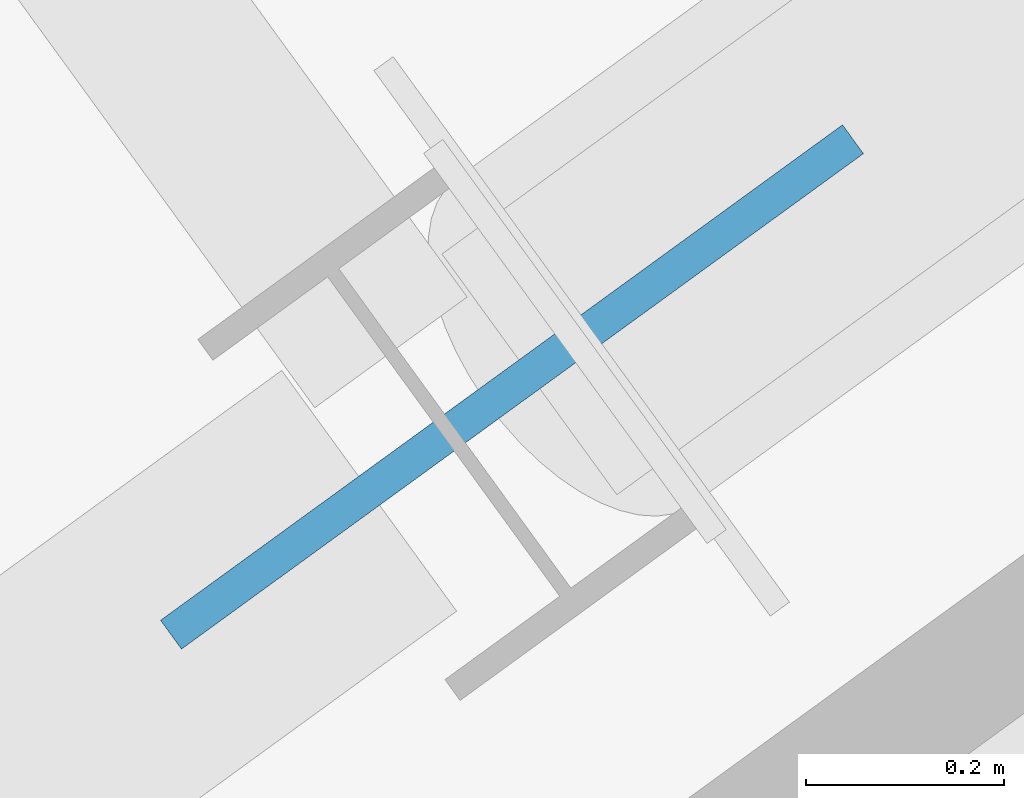
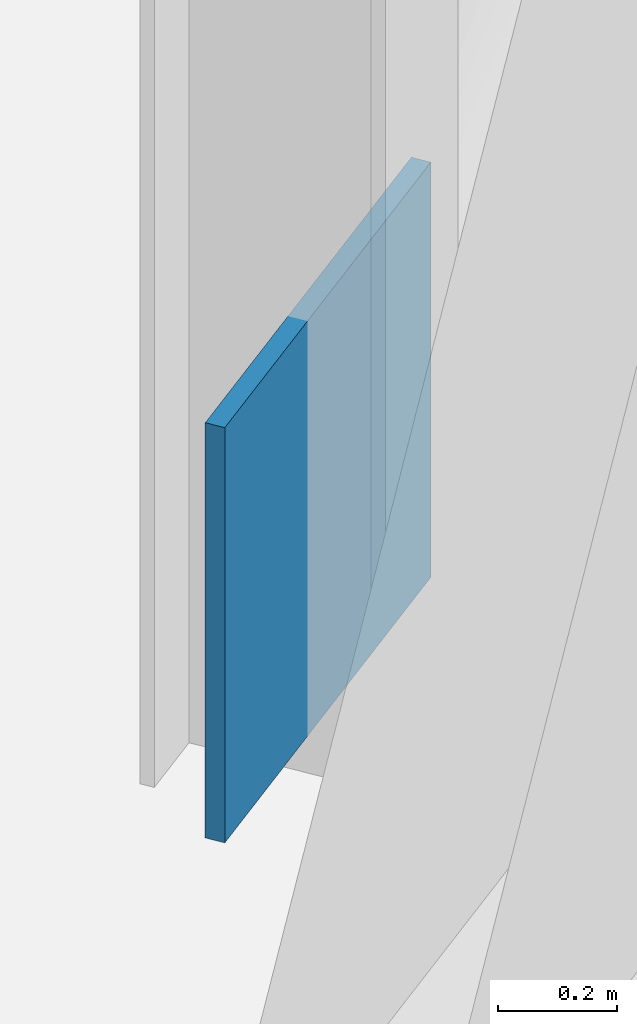
# One storey, part 15 of 32: 1 plate.
"""IFC4 building model written with IfcOpenShell, lengths in metres."""

from ifc_helpers import new_model, si_unit, direction, frame, origin, origin_2d, place, context, subcontext, project, spatial, rectangle, extrude, source, transform, mapped, material, layer, layer_set, type_object, element, save


model = new_model("IFC4")

# Units and contexts
model_context = context("Model", 3, precision=1e-05, world=origin(), true_north=direction((0.0, 1.0)))
body_context = subcontext(model_context, "Body", "Model", "MODEL_VIEW")
ifc_project = project(units=[si_unit("LENGTHUNIT", "METRE"), si_unit("AREAUNIT", "SQUARE_METRE"), si_unit("VOLUMEUNIT", "CUBIC_METRE"), si_unit("PLANEANGLEUNIT", "RADIAN"), si_unit("MASSUNIT", "GRAM", prefix="KILO")], contexts=[model_context])

# Site, building, storey
site_placement = place(None, origin())
site = spatial("IfcSite", under=ifc_project, at=site_placement, CompositionType="ELEMENT")
building_placement = place(site_placement, origin())
building = spatial("IfcBuilding", under=site, at=building_placement, Name="Tlacorven Tower", CompositionType="ELEMENT")
storey_placement = place(building_placement, frame((0.0, 0.0, 245.699951171875)))
storey = spatial("IfcBuildingStorey", under=building, at=storey_placement, Name="L62", CompositionType="ELEMENT", Elevation=245.699951171875)

# Plate
ifc_material = material(Name="Steel S460M", Category="steel")
ifc_layer = layer(ifc_material, 0.035888671875)
ifc_layer_set = layer_set([ifc_layer], Name="Steel S460M")
plate_type = type_object("IfcPlateType", Name="PL-NODE-BN1", PredefinedType="SHEET", material=ifc_layer_set)
shared_shape = source(origin(), body_context, "Body", "SweptSolid", [
    extrude(rectangle(XDim=0.85009765625, YDim=0.035888671875, at=origin_2d()), origin(), (0.0, 0.0, 1.0), 0.85009765625),
])
plate_placement = place(storey_placement, frame((66.12109375, 14.85693359375, 0.07421875), z_axis=(0.0, 0.0, 1.0), x_axis=(0.809016912294, 0.587785365267, 0.0)))
element("IfcPlate", 1, at=plate_placement, inside=storey, type_object=plate_type, Name="L62 structural node gusset plate BLT-L62-E1-D1", PredefinedType="SHEET", context=body_context, shape_type="MappedRepresentation", body=[
    mapped(shared_shape, transform((0.0, 0.0, 0.0), scale=1.0)),
])

save(model, "model.ifc")
